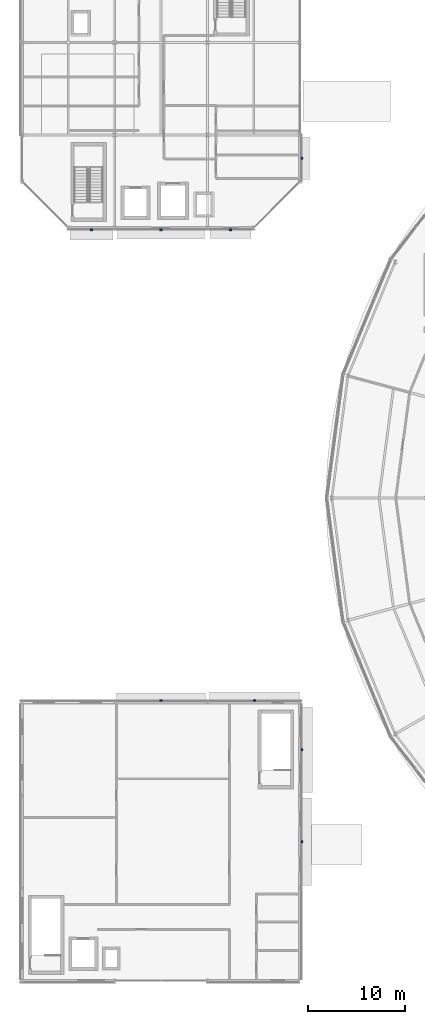
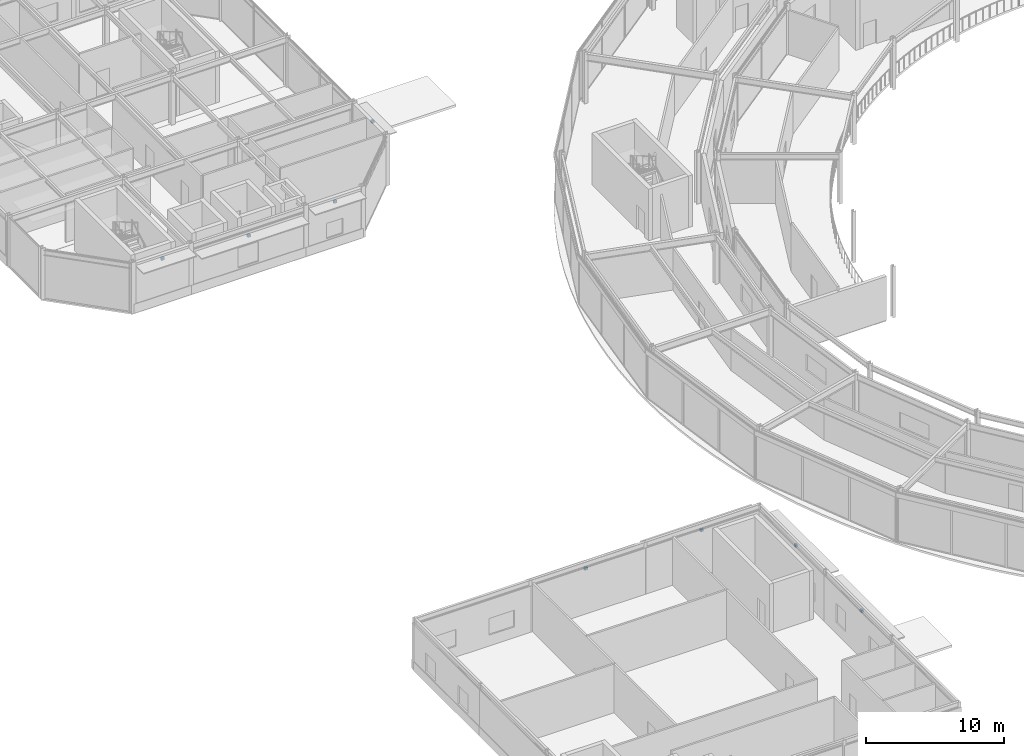
# One storey, part 112 of 133: 8 discrete accessories.
"""IFC4 building model written with IfcOpenShell, lengths in metres."""

from ifc_helpers import new_model, si_unit, direction, frame, origin, origin_2d, place, context, subcontext, project, spatial, rectangle, extrude, material, layer, layer_set, type_object, element, save


model = new_model("IFC4")

# Units and contexts
model_context = context("Model", 3, precision=1e-05, world=origin(), true_north=direction((0.0, 1.0)))
body_context = subcontext(model_context, "Body", "Model", "MODEL_VIEW")
ifc_project = project(units=[si_unit("LENGTHUNIT", "METRE"), si_unit("AREAUNIT", "SQUARE_METRE"), si_unit("VOLUMEUNIT", "CUBIC_METRE"), si_unit("PLANEANGLEUNIT", "RADIAN"), si_unit("MASSUNIT", "GRAM", prefix="KILO")], contexts=[model_context])

# Site, building, storey
site_placement = place(None, origin())
site = spatial("IfcSite", under=ifc_project, at=site_placement, CompositionType="ELEMENT")
building_placement = place(site_placement, origin())
building = spatial("IfcBuilding", under=site, at=building_placement, Name="Almandine Court Research Institute", CompositionType="ELEMENT")
storey_placement = place(building_placement, frame((0.0, 0.0, 9.800048828125)))
storey = spatial("IfcBuildingStorey", under=building, at=storey_placement, Name="L02", CompositionType="ELEMENT", Elevation=9.800048828125)

# Discrete accessories
ifc_material = material(Name="Galvanised Steel Facade Outrigger Bracket", Category="steel")
ifc_layer = layer(ifc_material, 0.219970703125)
ifc_layer_set = layer_set([ifc_layer], Name="Galvanised Steel Facade Outrigger Bracket")
discrete_accessory_type = type_object("IfcDiscreteAccessoryType", Name="Acc-CHJ-BRACKET", PredefinedType="BRACKET", material=ifc_layer_set)
for number, where, z_axis, x_axis, name in (
    (1, (20.39990234375, 35.014892578125, 3.6337890625), (0.0, 0.0, 1.0), (1.0, 0.0, 0.0), "L02 Chhajja Outrigger Bracket 8"),
    (2, (30.0791015625, 35.014892578125, 3.6337890625), (0.0, 0.0, 1.0), (1.0, 0.0, 0.0), "L02 Chhajja Outrigger Bracket 9"),
    (3, (35.0048828125, 20.39990234375, 3.6337890625), (0.0, 0.0, 1.0), (0.0, -1.0, 0.0), "L02 Chhajja Outrigger Bracket 10"),
    (4, (35.0048828125, 29.927978515625, 3.6337890625), (0.0, 0.0, 1.0), (0.0, -1.0, 0.0), "L02 Chhajja Outrigger Bracket 11"),
    (5, (35.0048828125, 91.199951171875, 3.93994140625), (0.0, 0.0, 1.0), (0.0, -1.0, 0.0), "L02 Chhajja Outrigger Bracket 33"),
    (6, (27.60009765625, 83.794921875, 3.93994140625), (0.0, 0.0, 1.0), (-1.0, 0.0, 0.0), "L02 Chhajja Outrigger Bracket 34"),
    (7, (20.39990234375, 83.794921875, 3.4541015625), (0.0, 0.0, 1.0), (-1.0, 0.0, 0.0), "L02 Chhajja Outrigger Bracket 35"),
    (8, (13.199951171875, 83.794921875, 3.93994140625), (0.0, 0.0, 1.0), (-1.0, 0.0, 0.0), "L02 Chhajja Outrigger Bracket 36"),
):
    element("IfcDiscreteAccessory", number, at=place(storey_placement, frame(where, z_axis=z_axis, x_axis=x_axis)), inside=storey, type_object=discrete_accessory_type, Name=name, PredefinedType="BRACKET", context=body_context, shape_type="SweptSolid", body=[
        extrude(rectangle(XDim=0.239990234375, YDim=0.179931640625, at=origin_2d()), origin(), (0.0, 0.0, 1.0), 0.219970703125),
    ])

save(model, "model.ifc")
